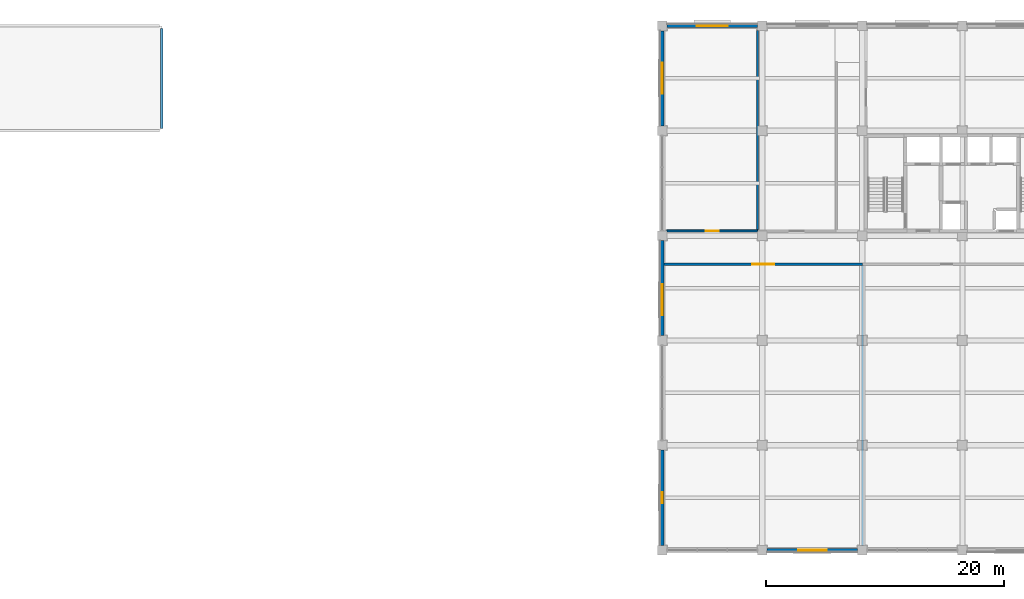
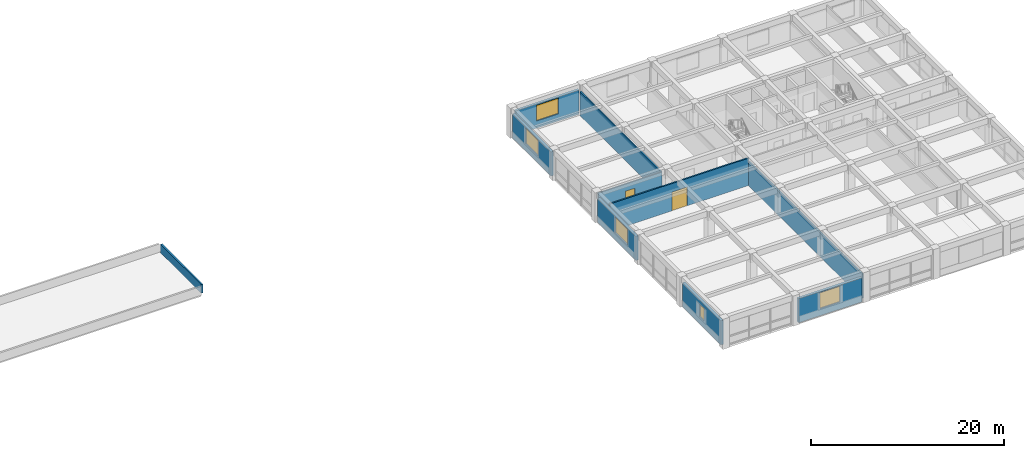
# One storey, part 10 of 16: 10 walls, 5 windows, 2 doors, 7 openings.
"""IFC4 building model written with IfcOpenShell, lengths in metres."""

from ifc_helpers import new_model, si_unit, direction, frame, frame_2d, origin, place, context, subcontext, project, spatial, rectangle, extrude, material, layer, layer_set, type_object, element, fill, save


model = new_model("IFC4")

# Units and contexts
model_context = context("Model", 3, precision=1e-05, world=origin(), true_north=direction((0.0, 1.0)))
body_context = subcontext(model_context, "Body", "Model", "MODEL_VIEW")
ifc_project = project(units=[si_unit("LENGTHUNIT", "METRE"), si_unit("AREAUNIT", "SQUARE_METRE"), si_unit("VOLUMEUNIT", "CUBIC_METRE"), si_unit("PLANEANGLEUNIT", "RADIAN"), si_unit("MASSUNIT", "GRAM", prefix="KILO")], contexts=[model_context])

# Site, building, storey
site_placement = place(None, origin())
site = spatial("IfcSite", under=ifc_project, at=site_placement, CompositionType="ELEMENT")
building_placement = place(site_placement, origin())
building = spatial("IfcBuilding", under=site, at=building_placement, Name="Kemercrest Conservatory and Botanical Centre", CompositionType="ELEMENT")
storey_placement = place(building_placement, frame((0.0, 0.0, 17.199951171875)))
storey = spatial("IfcBuildingStorey", under=building, at=storey_placement, Name="L04", CompositionType="ELEMENT", Elevation=17.199951171875)

# Wall, opening, window
ifc_material_1 = material(Name="Precast concrete C40/50", Category="concrete")
ifc_layer_1 = layer(ifc_material_1, 0.300048828125)
ifc_layer_set_1 = layer_set([ifc_layer_1], Name="Precast concrete C40/50")
wall_type_1 = type_object("IfcWallType", Name="W-EXT300", PredefinedType="SOLIDWALL", material=ifc_layer_set_1)
wall_1_placement = place(storey_placement, frame((142.81005859375, 78.39990234375, 0.0), z_axis=(0.0, 0.0, 1.0), x_axis=(1.0, 0.0, 0.0)))
wall_1 = element("IfcWall", 1, at=wall_1_placement, inside=storey, type_object=wall_type_1, Name="Exterior almasik wall W-EXT300 (WAL:L04:EXT-224)", PredefinedType="SOLIDWALL", context=body_context, shape_type="SweptSolid", body=[
    extrude(rectangle(XDim=7.579833984375, YDim=0.300048828125, at=frame_2d((3.7900390625, 0.0))), origin(), (0.0, 0.0, 1.0), 3.050048828125),
])
opening_1_placement = place(wall_1_placement, frame((2.590087890625, 0.0, 0.89990234375)))
opening_1 = element("IfcOpeningElement", 2, at=opening_1_placement, cuts=wall_1, Name="Opening WT-09", PredefinedType="OPENING", context=body_context, shape_type="SweptSolid", body=[
    extrude(rectangle(XDim=2.39990234375, YDim=2.0, at=frame_2d((1.199951171875, 1.0))), frame((0.0, 0.16015625, 0.0), z_axis=(0.0, -1.0, 0.0), x_axis=(1.0, 0.0, 0.0)), (0.0, 0.0, 1.0), 0.320068359375),
])
ifc_material_2 = material(Name="Thermally broken bronze-anodized aluminium and triple glazing", Category="aluminium")
window_type_1 = type_object("IfcWindowType", Name="WT-09", PartitioningType="SINGLE_PANEL", PredefinedType="WINDOW", material=ifc_material_2)
window_1_placement = place(opening_1_placement, origin())
window_1 = element("IfcWindow", 3, at=window_1_placement, inside=storey, type_object=window_type_1, Name="Exterior window WT-09 (WIN:L04:EXT-224)", OverallHeight=2.0, OverallWidth=2.39990234375, PartitioningType="SINGLE_PANEL", PredefinedType="WINDOW", context=body_context, shape_type="SweptSolid", body=[
    extrude(rectangle(XDim=2.39990234375, YDim=2.0, at=frame_2d((1.199951171875, 1.0))), frame((0.0, 0.030029296875, 0.0), z_axis=(0.0, -1.0, 0.0), x_axis=(1.0, 0.0, 0.0)), (0.0, 0.0, 1.0), 0.06005859375),
])
fill(opening_1, window_1)

wall_2_placement = place(storey_placement, frame((141.989990234375, 122.39990234375, 0.0), z_axis=(0.0, 0.0, 1.0), x_axis=(-1.0, 0.0, 0.0)))
wall_2 = element("IfcWall", 4, at=wall_2_placement, inside=storey, type_object=wall_type_1, Name="Exterior almasik wall W-EXT300 (WAL:L04:EXT-233)", PredefinedType="SOLIDWALL", context=body_context, shape_type="SweptSolid", body=[
    extrude(rectangle(XDim=7.580078125, YDim=0.300048828125, at=frame_2d((3.7900390625, 0.0))), origin(), (0.0, 0.0, 1.0), 3.050048828125),
])
opening_2_placement = place(wall_2_placement, frame((2.489990234375, 0.0, 0.89990234375)))
opening_2 = element("IfcOpeningElement", 5, at=opening_2_placement, cuts=wall_2, Name="Opening WT-10", PredefinedType="OPENING", context=body_context, shape_type="SweptSolid", body=[
    extrude(rectangle(XDim=2.60009765625, YDim=2.0, at=frame_2d((1.300048828125, 1.0))), frame((0.0, 0.16015625, 0.0), z_axis=(0.0, -1.0, 0.0), x_axis=(1.0, 0.0, 0.0)), (0.0, 0.0, 1.0), 0.320068359375),
])
window_type_2 = type_object("IfcWindowType", Name="WT-10", PartitioningType="SINGLE_PANEL", PredefinedType="WINDOW", material=ifc_material_2)
window_2_placement = place(opening_2_placement, origin())
window_2 = element("IfcWindow", 6, at=window_2_placement, inside=storey, type_object=window_type_2, Name="Exterior window WT-10 (WIN:L04:EXT-233)", OverallHeight=2.0, OverallWidth=2.60009765625, PartitioningType="SINGLE_PANEL", PredefinedType="WINDOW", context=body_context, shape_type="SweptSolid", body=[
    extrude(rectangle(XDim=2.60009765625, YDim=2.0, at=frame_2d((1.300048828125, 1.0))), frame((0.0, 0.030029296875, 0.0), z_axis=(0.0, -1.0, 0.0), x_axis=(1.0, 0.0, 0.0)), (0.0, 0.0, 1.0), 0.06005859375),
])
fill(opening_2, window_2)

wall_3_placement = place(storey_placement, frame((134.0, 121.989990234375, 0.0), z_axis=(0.0, 0.0, 1.0), x_axis=(0.0, -1.0, 0.0)))
wall_3 = element("IfcWall", 7, at=wall_3_placement, inside=storey, type_object=wall_type_1, Name="Exterior almasik wall W-EXT300 (WAL:L04:EXT-234)", PredefinedType="SOLIDWALL", context=body_context, shape_type="SweptSolid", body=[
    extrude(rectangle(XDim=7.97998046875, YDim=0.300048828125, at=frame_2d((3.989990234375, 0.0))), origin(), (0.0, 0.0, 1.0), 3.050048828125),
])
opening_3_placement = place(wall_3_placement, frame((2.68994140625, 0.0, 0.89990234375)))
opening_3 = element("IfcOpeningElement", 8, at=opening_3_placement, cuts=wall_3, Name="Opening WT-10", PredefinedType="OPENING", context=body_context, shape_type="SweptSolid", body=[
    extrude(rectangle(XDim=2.60009765625, YDim=2.0, at=frame_2d((1.300048828125, 1.0))), frame((0.0, 0.16015625, 0.0), z_axis=(0.0, -1.0, 0.0), x_axis=(1.0, 0.0, 0.0)), (0.0, 0.0, 1.0), 0.320068359375),
])
window_3_placement = place(opening_3_placement, origin())
window_3 = element("IfcWindow", 9, at=window_3_placement, inside=storey, type_object=window_type_2, Name="Exterior window WT-10 (WIN:L04:EXT-234)", OverallHeight=2.0, OverallWidth=2.60009765625, PartitioningType="SINGLE_PANEL", PredefinedType="WINDOW", context=body_context, shape_type="SweptSolid", body=[
    extrude(rectangle(XDim=2.60009765625, YDim=2.0, at=frame_2d((1.300048828125, 1.0))), frame((0.0, 0.030029296875, 0.0), z_axis=(0.0, -1.0, 0.0), x_axis=(1.0, 0.0, 0.0)), (0.0, 0.0, 1.0), 0.06005859375),
])
fill(opening_3, window_3)

wall_4_placement = place(storey_placement, frame((134.0, 104.389892578125, 0.0), z_axis=(0.0, 0.0, 1.0), x_axis=(0.0, -1.0, 0.0)))
wall_4 = element("IfcWall", 10, at=wall_4_placement, inside=storey, type_object=wall_type_1, Name="Exterior almasik wall W-EXT300 (WAL:L04:EXT-235)", PredefinedType="SOLIDWALL", context=body_context, shape_type="SweptSolid", body=[
    extrude(rectangle(XDim=7.97998046875, YDim=0.300048828125, at=frame_2d((3.989990234375, 0.0))), origin(), (0.0, 0.0, 1.0), 3.050048828125),
])
opening_4_placement = place(wall_4_placement, frame((3.68505859375, 0.0, 0.89990234375)))
opening_4 = element("IfcOpeningElement", 11, at=opening_4_placement, cuts=wall_4, Name="Opening WT-10", PredefinedType="OPENING", context=body_context, shape_type="SweptSolid", body=[
    extrude(rectangle(XDim=2.60009765625, YDim=2.0, at=frame_2d((1.300048828125, 1.0))), frame((0.0, 0.16015625, 0.0), z_axis=(0.0, -1.0, 0.0), x_axis=(1.0, 0.0, 0.0)), (0.0, 0.0, 1.0), 0.320068359375),
])
window_4_placement = place(opening_4_placement, origin())
window_4 = element("IfcWindow", 12, at=window_4_placement, inside=storey, type_object=window_type_2, Name="Exterior window WT-10 (WIN:L04:EXT-235)", OverallHeight=2.0, OverallWidth=2.60009765625, PartitioningType="SINGLE_PANEL", PredefinedType="WINDOW", context=body_context, shape_type="SweptSolid", body=[
    extrude(rectangle(XDim=2.60009765625, YDim=2.0, at=frame_2d((1.300048828125, 1.0))), frame((0.0, 0.030029296875, 0.0), z_axis=(0.0, -1.0, 0.0), x_axis=(1.0, 0.0, 0.0)), (0.0, 0.0, 1.0), 0.06005859375),
])
fill(opening_4, window_4)

wall_5_placement = place(storey_placement, frame((134.0, 86.7900390625, 0.0), z_axis=(0.0, 0.0, 1.0), x_axis=(0.0, -1.0, 0.0)))
wall_5 = element("IfcWall", 13, at=wall_5_placement, inside=storey, type_object=wall_type_1, Name="Exterior almasik wall W-EXT300 (WAL:L04:EXT-236)", PredefinedType="SOLIDWALL", context=body_context, shape_type="SweptSolid", body=[
    extrude(rectangle(XDim=7.97998046875, YDim=0.300048828125, at=frame_2d((3.989990234375, 0.0))), origin(), (0.0, 0.0, 1.0), 3.050048828125),
])
opening_5_placement = place(wall_5_placement, frame((3.514892578125, 0.0, 0.89990234375)))
opening_5 = element("IfcOpeningElement", 14, at=opening_5_placement, cuts=wall_5, Name="Opening WT-21", PredefinedType="OPENING", context=body_context, shape_type="SweptSolid", body=[
    extrude(rectangle(XDim=0.949951171875, YDim=1.60009765625, at=frame_2d((0.47509765625, 0.800048828125))), frame((0.0, 0.16015625, 0.0), z_axis=(0.0, -1.0, 0.0), x_axis=(1.0, 0.0, 0.0)), (0.0, 0.0, 1.0), 0.320068359375),
])
window_type_3 = type_object("IfcWindowType", Name="WT-21", PartitioningType="SINGLE_PANEL", PredefinedType="WINDOW", material=ifc_material_2)
window_5_placement = place(opening_5_placement, origin())
window_5 = element("IfcWindow", 15, at=window_5_placement, inside=storey, type_object=window_type_3, Name="Exterior window WT-21 (WIN:L04:EXT-236)", OverallHeight=1.60009765625, OverallWidth=0.949951171875, PartitioningType="SINGLE_PANEL", PredefinedType="WINDOW", context=body_context, shape_type="SweptSolid", body=[
    extrude(rectangle(XDim=0.949951171875, YDim=1.60009765625, at=frame_2d((0.47509765625, 0.800048828125))), frame((0.0, 0.030029296875, 0.0), z_axis=(0.0, -1.0, 0.0), x_axis=(1.0, 0.0, 0.0)), (0.0, 0.0, 1.0), 0.06005859375),
])
fill(opening_5, window_5)

# Wall
ifc_layer_2 = layer(ifc_material_1, 0.199951171875)
ifc_layer_set_2 = layer_set([ifc_layer_2], Name="Precast concrete C40/50")
wall_type_2 = type_object("IfcWallType", Name="W-PAR200", PredefinedType="PARAPET", material=ifc_layer_set_2)
wall_6_placement = place(storey_placement, frame((92.0, 113.800048828125, 0.0), z_axis=(0.0, 0.0, 1.0), x_axis=(0.0, 1.0, 0.0)))
element("IfcWall", 16, at=wall_6_placement, inside=storey, type_object=wall_type_2, Name="V3-PAV roof perimeter parapet #2", PredefinedType="PARAPET", context=body_context, shape_type="SweptSolid", body=[
    extrude(rectangle(XDim=8.39990234375, YDim=0.199951171875, at=frame_2d((4.199951171875, 0.0))), origin(), (0.0, 0.0, 1.0), 1.1201171875),
])

# Wall, opening, door
ifc_material_3 = material(Name="Steel-stud gypsum board partition", Category="steel")
ifc_layer_3 = layer(ifc_material_3, 0.14990234375)
ifc_layer_set_3 = layer_set([ifc_layer_3], Name="Steel-stud gypsum board partition")
wall_type_3 = type_object("IfcWallType", Name="W-PART150", PredefinedType="PARTITIONING", material=ifc_layer_set_3)
wall_7_placement = place(storey_placement, frame((134.39990234375, 105.199951171875, 0.0), z_axis=(0.0, 0.0, 1.0), x_axis=(1.0, 0.0, 0.0)))
wall_7 = element("IfcWall", 17, at=wall_7_placement, inside=storey, type_object=wall_type_3, Name="Interior partition W-PART150 #163", PredefinedType="PARTITIONING", context=body_context, shape_type="SweptSolid", body=[
    extrude(rectangle(XDim=7.60009765625, YDim=0.14990234375, at=frame_2d((3.800048828125, 0.0))), origin(), (0.0, 0.0, 1.0), 3.045166015625),
])
opening_6_placement = place(wall_7_placement, frame((3.25, 0.0, 0.0)))
opening_6 = element("IfcOpeningElement", 18, at=opening_6_placement, cuts=wall_7, Name="Opening D200", PredefinedType="OPENING", context=body_context, shape_type="SweptSolid", body=[
    extrude(rectangle(XDim=1.10009765625, YDim=2.14990234375, at=frame_2d((0.550048828125, 1.074951171875))), frame((0.0, 0.0849609375, 0.0), z_axis=(0.0, -1.0, 0.0), x_axis=(1.0, 0.0, 0.0)), (0.0, 0.0, 1.0), 0.169921875),
])
ifc_material_4 = material(Name="FSC solid-core white oak veneer and anodized aluminium frame", Category="aluminium")
door_type_1 = type_object("IfcDoorType", Name="DT-04", OperationType="NOTDEFINED", PredefinedType="DOOR", material=ifc_material_4)
door_1_placement = place(opening_6_placement, origin())
door_1 = element("IfcDoor", 19, at=door_1_placement, inside=storey, type_object=door_type_1, Name="Taxonomic Write-Up Office door D200", OperationType="SINGLE_SWING_RIGHT", OverallHeight=2.14990234375, OverallWidth=1.10009765625, PredefinedType="DOOR", context=body_context, shape_type="SweptSolid", body=[
    extrude(rectangle(XDim=1.10009765625, YDim=2.14990234375, at=frame_2d((0.550048828125, 1.074951171875))), frame((0.0, 0.02490234375, 0.0), z_axis=(0.0, -1.0, 0.0), x_axis=(1.0, 0.0, 0.0)), (0.0, 0.0, 1.0), 0.050048828125),
])
fill(opening_6, door_1)

# Wall
wall_8_placement = place(storey_placement, frame((142.0, 105.280029296875, 0.0), z_axis=(0.0, 0.0, 1.0), x_axis=(0.0, 1.0, 0.0)))
element("IfcWall", 20, at=wall_8_placement, inside=storey, type_object=wall_type_3, Name="Interior partition W-PART150 #172", PredefinedType="PARTITIONING", context=body_context, shape_type="SweptSolid", body=[
    extrude(rectangle(XDim=16.719970703125, YDim=0.14990234375, at=frame_2d((8.35986328125, 0.0))), origin(), (0.0, 0.0, 1.0), 3.045166015625),
])

# Wall, opening, door
ifc_material_5 = material(Name="Acoustic steel-stud gypsum board assembly", Category="steel")
ifc_layer_4 = layer(ifc_material_5, 0.179931640625)
ifc_layer_set_4 = layer_set([ifc_layer_4], Name="Acoustic steel-stud gypsum board assembly")
wall_type_4 = type_object("IfcWallType", Name="W-PART180", PredefinedType="PARTITIONING", material=ifc_layer_set_4)
wall_9_placement = place(storey_placement, frame((134.155029296875, 102.39990234375, 0.0), z_axis=(0.0, 0.0, 1.0), x_axis=(1.0, 0.0, 0.0)))
wall_9 = element("IfcWall", 21, at=wall_9_placement, inside=storey, type_object=wall_type_4, Name="Interior partition W-PART180 #160", PredefinedType="PARTITIONING", context=body_context, shape_type="SweptSolid", body=[
    extrude(rectangle(XDim=16.64501953125, YDim=0.179931640625, at=frame_2d((8.322509765625, 0.0))), origin(), (0.0, 0.0, 1.0), 3.465087890625),
])
opening_7_placement = place(wall_9_placement, frame((7.402587890625, 0.0, 0.0)))
opening_7 = element("IfcOpeningElement", 22, at=opening_7_placement, cuts=wall_9, Name="Opening D197", PredefinedType="OPENING", context=body_context, shape_type="SweptSolid", body=[
    extrude(rectangle(XDim=1.840087890625, YDim=2.3798828125, at=frame_2d((0.919921875, 1.18994140625))), frame((0.0, 0.10009765625, 0.0), z_axis=(0.0, -1.0, 0.0), x_axis=(1.0, 0.0, 0.0)), (0.0, 0.0, 1.0), 0.199951171875),
])
door_type_2 = type_object("IfcDoorType", Name="DT-44", OperationType="DOUBLE_DOOR_SINGLE_SWING", PredefinedType="DOOR", material=ifc_material_4)
door_2_placement = place(opening_7_placement, origin())
door_2 = element("IfcDoor", 23, at=door_2_placement, inside=storey, type_object=door_type_2, Name="Wet Botanical Research Laboratory door D197", OperationType="DOUBLE_DOOR_SINGLE_SWING", OverallHeight=2.3798828125, OverallWidth=1.840087890625, PredefinedType="DOOR", context=body_context, shape_type="SweptSolid", body=[
    extrude(rectangle(XDim=1.840087890625, YDim=2.3798828125, at=frame_2d((0.919921875, 1.18994140625))), frame((0.0, 0.02490234375, 0.0), z_axis=(0.0, -1.0, 0.0), x_axis=(1.0, 0.0, 0.0)), (0.0, 0.0, 1.0), 0.050048828125),
])
fill(opening_7, door_2)

# Wall
wall_10_placement = place(storey_placement, frame((150.800048828125, 78.800048828125, 0.0), z_axis=(0.0, 0.0, 1.0), x_axis=(0.0, 1.0, 0.0)))
element("IfcWall", 24, at=wall_10_placement, inside=storey, type_object=wall_type_4, Name="Interior partition W-PART180 #171", PredefinedType="PARTITIONING", context=body_context, shape_type="SweptSolid", body=[
    extrude(rectangle(XDim=23.5048828125, YDim=0.179931640625, at=frame_2d((11.75244140625, 0.0))), origin(), (0.0, 0.0, 1.0), 3.045166015625),
])

save(model, "model.ifc")
